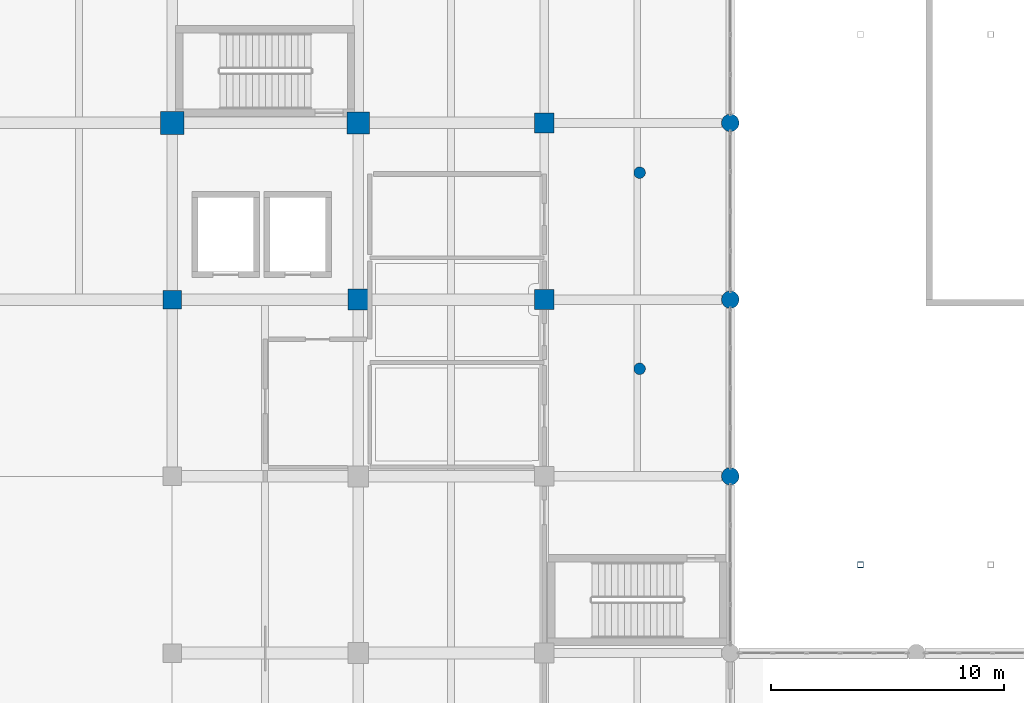
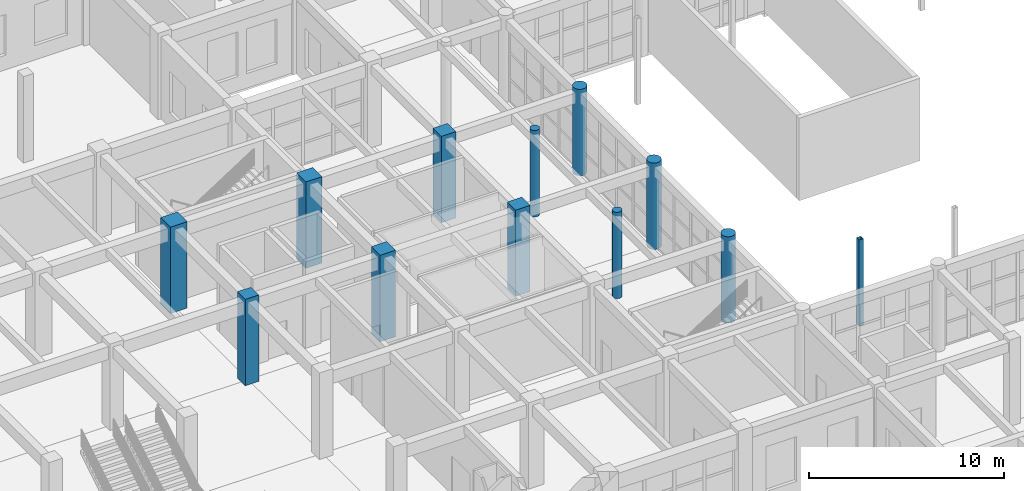
# One storey, part 5 of 95: 12 columns.
"""IFC4 building model written with IfcOpenShell, lengths in metres."""

from ifc_helpers import new_model, si_unit, direction, frame, origin, origin_2d, place, context, subcontext, project, spatial, rectangle, hollow_rectangle, circle, extrude, material, material_profile, profile_set, type_object, element, save


model = new_model("IFC4")

# Units and contexts
model_context = context("Model", 3, precision=1e-05, world=origin(), true_north=direction((0.0, 1.0)))
body_context = subcontext(model_context, "Body", "Model", "MODEL_VIEW")
ifc_project = project(units=[si_unit("LENGTHUNIT", "METRE"), si_unit("AREAUNIT", "SQUARE_METRE"), si_unit("VOLUMEUNIT", "CUBIC_METRE"), si_unit("PLANEANGLEUNIT", "RADIAN"), si_unit("MASSUNIT", "GRAM", prefix="KILO")], contexts=[model_context])

# Site, building, storey
site_placement = place(None, origin())
site = spatial("IfcSite", under=ifc_project, at=site_placement, CompositionType="ELEMENT")
building_placement = place(site_placement, origin())
building = spatial("IfcBuilding", under=site, at=building_placement, Name="Zantavel Square City Hall", CompositionType="ELEMENT")
storey_placement = place(building_placement, origin())
storey = spatial("IfcBuildingStorey", under=building, at=storey_placement, Name="L01", CompositionType="ELEMENT", Elevation=0.0)

# Columns
ifc_material_1 = material(Name="Concrete C40/50", Category="concrete")
ifc_material_profile_1 = material_profile(ifc_material_1, rectangle(XDim=1.0, YDim=1.0, at=origin_2d()), Name="RC 1000x1000")
ifc_profile_set_1 = profile_set([ifc_material_profile_1], Name="Concrete C40/50")
column_type_1 = type_object("IfcColumnType", Name="Column RC 1000x1000 C40/50", PredefinedType="COLUMN", material=ifc_profile_set_1)
column_1_placement = place(storey_placement, frame((96.0, 60.800048828125, 0.0), z_axis=(0.0, 0.0, 1.0), x_axis=(1.0, 0.0, 0.0)))
element("IfcColumn", 1, at=column_1_placement, inside=storey, type_object=column_type_1, Name="L01 Column COL-L01-0960-0608", PredefinedType="COLUMN", context=body_context, shape_type="SweptSolid", body=[
    extrude(rectangle(XDim=1.0, YDim=1.0, at=origin_2d()), origin(), (0.0, 0.0, 1.0), 5.39990234375),
])
ifc_material_profile_2 = material_profile(ifc_material_1, rectangle(XDim=0.800048828125, YDim=0.800048828125, at=origin_2d()), Name="RC 800x800")
ifc_profile_set_2 = profile_set([ifc_material_profile_2], Name="Concrete C40/50")
column_type_2 = type_object("IfcColumnType", Name="Column RC 800x800 C40/50", PredefinedType="COLUMN", material=ifc_profile_set_2)
column_2_placement = place(storey_placement, frame((96.0, 53.199951171875, 0.0), z_axis=(0.0, 0.0, 1.0), x_axis=(1.0, 0.0, 0.0)))
element("IfcColumn", 2, at=column_2_placement, inside=storey, type_object=column_type_2, Name="L01 Column COL-L01-0960-0532", PredefinedType="COLUMN", context=body_context, shape_type="SweptSolid", body=[
    extrude(rectangle(XDim=0.800048828125, YDim=0.800048828125, at=origin_2d()), origin(), (0.0, 0.0, 1.0), 5.39990234375),
])
ifc_material_profile_3 = material_profile(ifc_material_1, rectangle(XDim=0.85009765625, YDim=0.85009765625, at=origin_2d()), Name="RC 850x850")
ifc_profile_set_3 = profile_set([ifc_material_profile_3], Name="Concrete C40/50")
column_type_3 = type_object("IfcColumnType", Name="Column RC 850x850 C40/50", PredefinedType="COLUMN", material=ifc_profile_set_3)
for number, where, z_axis, x_axis, name in (
    (3, (112.0, 53.199951171875, 0.0), (0.0, 0.0, 1.0), (1.0, 0.0, 0.0), "L01 Column COL-L01-1120-0532"),
    (4, (112.0, 60.800048828125, 0.0), (0.0, 0.0, 1.0), (1.0, 0.0, 0.0), "L01 Column COL-L01-1120-0608"),
):
    element("IfcColumn", number, at=place(storey_placement, frame(where, z_axis=z_axis, x_axis=x_axis)), inside=storey, type_object=column_type_3, Name=name, PredefinedType="COLUMN", context=body_context, shape_type="SweptSolid", body=[
        extrude(rectangle(XDim=0.85009765625, YDim=0.85009765625, at=origin_2d()), origin(), (0.0, 0.0, 1.0), 5.39990234375),
    ])
ifc_material_profile_4 = material_profile(ifc_material_1, rectangle(XDim=0.89990234375, YDim=0.89990234375, at=origin_2d()), Name="RC 900x900")
ifc_profile_set_4 = profile_set([ifc_material_profile_4], Name="Concrete C40/50")
column_type_4 = type_object("IfcColumnType", Name="Column RC 900x900 C40/50", PredefinedType="COLUMN", material=ifc_profile_set_4)
column_3_placement = place(storey_placement, frame((104.0, 53.199951171875, 0.0), z_axis=(0.0, 0.0, 1.0), x_axis=(1.0, 0.0, 0.0)))
element("IfcColumn", 5, at=column_3_placement, inside=storey, type_object=column_type_4, Name="L01 Column COL-L01-1040-0532", PredefinedType="COLUMN", context=body_context, shape_type="SweptSolid", body=[
    extrude(rectangle(XDim=0.89990234375, YDim=0.89990234375, at=origin_2d()), origin(), (0.0, 0.0, 1.0), 5.39990234375),
])
ifc_material_profile_5 = material_profile(ifc_material_1, circle(Radius=0.375, at=origin_2d()), Name="ROUND D750")
ifc_profile_set_5 = profile_set([ifc_material_profile_5], Name="Concrete C40/50")
column_type_5 = type_object("IfcColumnType", Name="Courtyard Ionic Column D750 C40/50", PredefinedType="COLUMN", material=ifc_profile_set_5)
for number, where, z_axis, x_axis, name in (
    (6, (120.0, 45.60009765625, 0.0), (0.0, 0.0, 1.0), (1.0, 0.0, 0.0), "L01 Column COL-L01-1200-0456"),
    (7, (120.0, 53.199951171875, 0.0), (0.0, 0.0, 1.0), (1.0, 0.0, 0.0), "L01 Column COL-L01-1200-0532"),
    (8, (120.0, 60.800048828125, 0.0), (0.0, 0.0, 1.0), (1.0, 0.0, 0.0), "L01 Column COL-L01-1200-0608"),
):
    element("IfcColumn", number, at=place(storey_placement, frame(where, z_axis=z_axis, x_axis=x_axis)), inside=storey, type_object=column_type_5, Name=name, PredefinedType="COLUMN", context=body_context, shape_type="SweptSolid", body=[
        extrude(circle(Radius=0.375, at=origin_2d()), origin(), (0.0, 0.0, 1.0), 5.39990234375),
    ])
ifc_material_2 = material(Name="Steel ASTM A500 Grade B", Category="steel")
ifc_material_profile_6 = material_profile(ifc_material_2, hollow_rectangle(XDim=0.25390625, YDim=0.25390625, WallThickness=0.0126953125, at=origin_2d()), Name="HSS 254x254x12.7")
ifc_profile_set_6 = profile_set([ifc_material_profile_6], Name="Steel ASTM A500 Grade B")
column_type_6 = type_object("IfcColumnType", Name="Pavilion Steel Column HSS254", PredefinedType="COLUMN", material=ifc_profile_set_6)
column_4_placement = place(storey_placement, frame((125.60009765625, 41.800048828125, 0.0), z_axis=(0.0, 0.0, 1.0), x_axis=(1.0, 0.0, 0.0)))
element("IfcColumn", 9, at=column_4_placement, inside=storey, type_object=column_type_6, Name="L01 Courtyard Skylight Column 1-S", PredefinedType="COLUMN", context=body_context, shape_type="SweptSolid", body=[
    extrude(hollow_rectangle(XDim=0.25390625, YDim=0.25390625, WallThickness=0.0126953125, at=origin_2d()), origin(), (0.0, 0.0, 1.0), 5.39990234375),
])
ifc_material_profile_7 = material_profile(ifc_material_1, circle(Radius=0.25, at=origin_2d()), Name="ROUND D500")
ifc_profile_set_7 = profile_set([ifc_material_profile_7], Name="Concrete C40/50")
column_type_7 = type_object("IfcColumnType", Name="Portico Canopy Classical Column D500 C40/50", PredefinedType="COLUMN", material=ifc_profile_set_7)
for number, where, z_axis, x_axis, name in (
    (10, (116.10009765625, 50.22509765625, 0.0), (0.0, 0.0, 1.0), (1.0, 0.0, 0.0), "L01 Terrace Stair Loggia Column 1"),
    (11, (116.10009765625, 58.659912109375, 0.0), (0.0, 0.0, 1.0), (1.0, 0.0, 0.0), "L01 Terrace Stair Loggia Column 2"),
):
    element("IfcColumn", number, at=place(storey_placement, frame(where, z_axis=z_axis, x_axis=x_axis)), inside=storey, type_object=column_type_7, Name=name, PredefinedType="COLUMN", context=body_context, shape_type="SweptSolid", body=[
        extrude(circle(Radius=0.25, at=origin_2d()), origin(), (0.0, 0.0, 1.0), 5.39990234375),
    ])
ifc_material_profile_8 = material_profile(ifc_material_1, rectangle(XDim=0.949951171875, YDim=0.949951171875, at=origin_2d()), Name="RC 950x950")
ifc_profile_set_8 = profile_set([ifc_material_profile_8], Name="Concrete C40/50")
column_type_8 = type_object("IfcColumnType", Name="Vault Corner Pier Column RC 950x950 C40/50", PredefinedType="COLUMN", material=ifc_profile_set_8)
column_5_placement = place(storey_placement, frame((104.0, 60.800048828125, 0.0), z_axis=(0.0, 0.0, 1.0), x_axis=(1.0, 0.0, 0.0)))
element("IfcColumn", 12, at=column_5_placement, inside=storey, type_object=column_type_8, Name="L01 Column COL-L01-1040-0608", PredefinedType="COLUMN", context=body_context, shape_type="SweptSolid", body=[
    extrude(rectangle(XDim=0.949951171875, YDim=0.949951171875, at=origin_2d()), origin(), (0.0, 0.0, 1.0), 5.39990234375),
])

save(model, "model.ifc")
